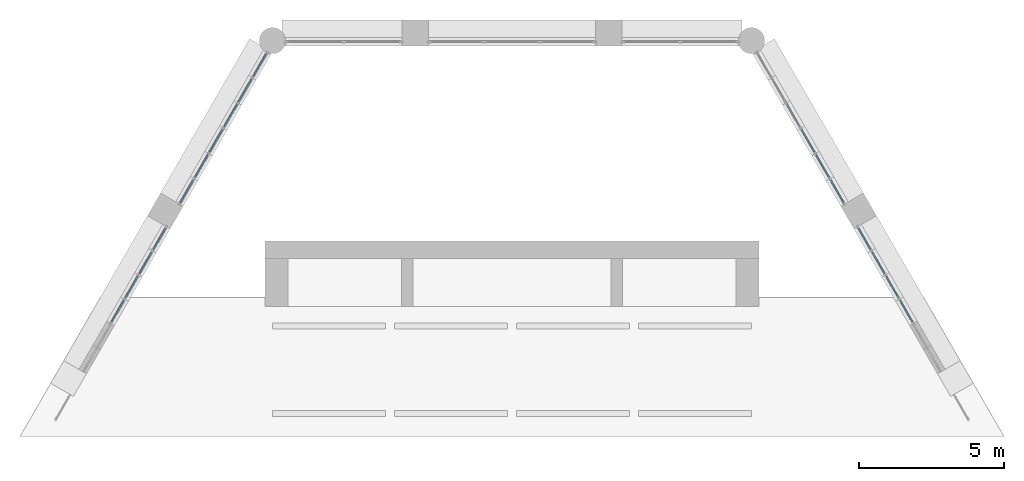
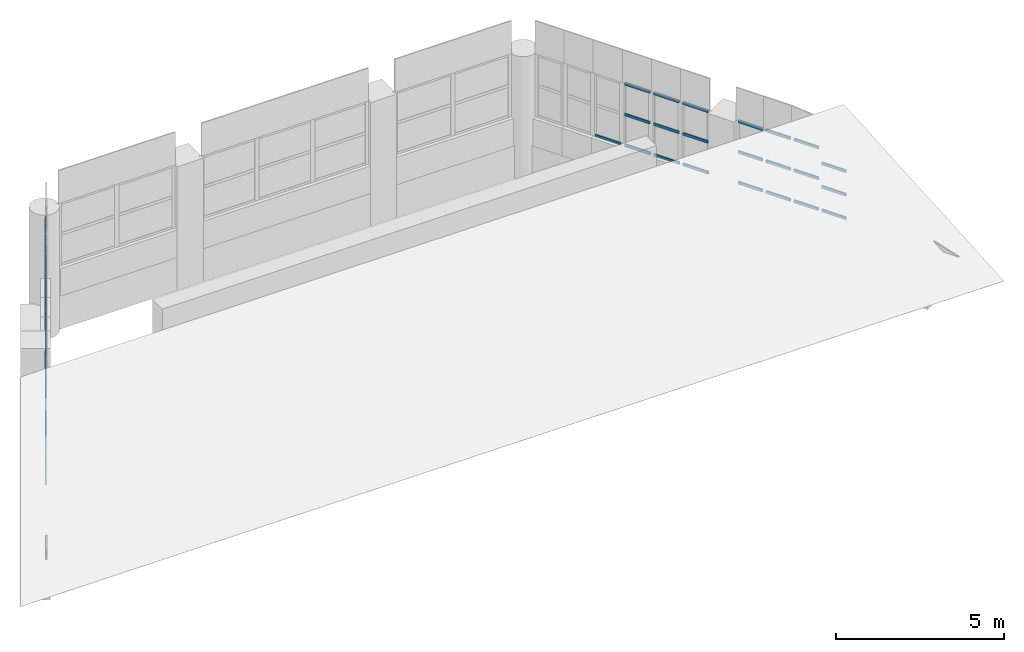
# One storey, part 8 of 11: 52 members, 18 elements without a shape of their own.
"""IFC4 building model written with IfcOpenShell, lengths in metres."""

from ifc_helpers import new_model, si_unit, direction, frame, origin, origin_2d, place, context, subcontext, project, spatial, hollow_rectangle, extrude, material, material_profile, profile_set, type_object, element, aggregate, save


model = new_model("IFC4")

# Units and contexts
model_context = context("Model", 3, precision=1e-05, world=origin(), true_north=direction((0.0, 1.0)))
body_context = subcontext(model_context, "Body", "Model", "MODEL_VIEW")
ifc_project = project(units=[si_unit("LENGTHUNIT", "METRE"), si_unit("AREAUNIT", "SQUARE_METRE"), si_unit("VOLUMEUNIT", "CUBIC_METRE"), si_unit("PLANEANGLEUNIT", "RADIAN"), si_unit("MASSUNIT", "GRAM", prefix="KILO")], contexts=[model_context])

# Site, building, storey
site_placement = place(None, origin())
site = spatial("IfcSite", under=ifc_project, at=site_placement, CompositionType="ELEMENT")
building_placement = place(site_placement, origin())
building = spatial("IfcBuilding", under=site, at=building_placement, Name="Ostrander Bayou Hotel Tower", CompositionType="ELEMENT")
storey_placement = place(building_placement, frame((0.0, 0.0, 293.0)))
storey = spatial("IfcBuildingStorey", under=building, at=storey_placement, Name="Roof 72", CompositionType="ELEMENT", Elevation=293.0)

# Curtain wall, members
ifc_material_1 = material(Name="Aluminium and clear glass", Category="aluminium")
curtain_wall_type = type_object("IfcCurtainWallType", Name="CW-CROWN glazed wall", PredefinedType="NOTDEFINED", material=ifc_material_1)
curtain_wall_1_placement = place(storey_placement, origin())
curtain_wall_1 = element("IfcCurtainWall", 1, at=curtain_wall_1_placement, inside=storey, type_object=curtain_wall_type, Name="CW-CROWN L72:NW-1-1", PredefinedType="NOTDEFINED")
ifc_material_2 = material(Name="Aluminium", Category="aluminium")
ifc_material_profile = material_profile(ifc_material_2, hollow_rectangle(XDim=0.050048828125, YDim=0.10009765625, WallThickness=0.00390625, at=origin_2d()))
ifc_profile_set = profile_set([ifc_material_profile], Name="Aluminium")
member_type = type_object("IfcMemberType", Name="CW-CR transom 50 x 100 mm", PredefinedType="USERDEFINED", material=ifc_profile_set)
member_1_placement = place(storey_placement, frame((-8.4619140625, 16.13037109375, 1.030029296875), z_axis=(-0.500033502416, -0.866006060292, 0.0), x_axis=(0.866006060292, -0.500033502416, 0.0)))
member_1 = element("IfcMember", 2, at=member_1_placement, type_object=member_type, Name="CW-CROWN transom 1.1", ObjectType="TRANSOM", PredefinedType="USERDEFINED", context=body_context, shape_type="SweptSolid", body=[
    extrude(hollow_rectangle(XDim=0.050048828125, YDim=0.10009765625, WallThickness=0.00390625, at=origin_2d()), origin(), (0.0, 0.0, 1.0), 0.88330078125),
])
member_2_placement = place(storey_placement, frame((-8.4619140625, 16.13037109375, 2.14990234375), z_axis=(-0.500033502416, -0.866006060292, 0.0), x_axis=(0.866006060292, -0.500033502416, 0.0)))
member_2 = element("IfcMember", 3, at=member_2_placement, type_object=member_type, Name="CW-CROWN transom 1.2", ObjectType="TRANSOM", PredefinedType="USERDEFINED", context=body_context, shape_type="SweptSolid", body=[
    extrude(hollow_rectangle(XDim=0.050048828125, YDim=0.10009765625, WallThickness=0.00390625, at=origin_2d()), origin(), (0.0, 0.0, 1.0), 0.88330078125),
])
member_3_placement = place(storey_placement, frame((-8.4619140625, 16.13037109375, 3.27001953125), z_axis=(-0.500033502416, -0.866006060292, 0.0), x_axis=(0.866006060292, -0.500033502416, 0.0)))
member_3 = element("IfcMember", 4, at=member_3_placement, type_object=member_type, Name="CW-CROWN transom 1.3", ObjectType="TRANSOM", PredefinedType="USERDEFINED", context=body_context, shape_type="SweptSolid", body=[
    extrude(hollow_rectangle(XDim=0.050048828125, YDim=0.10009765625, WallThickness=0.00390625, at=origin_2d()), origin(), (0.0, 0.0, 1.0), 0.88330078125),
])
aggregate(curtain_wall_1, [member_1, member_2, member_3])

curtain_wall_2_placement = place(storey_placement, origin())
curtain_wall_2 = element("IfcCurtainWall", 5, at=curtain_wall_2_placement, inside=storey, type_object=curtain_wall_type, Name="CW-CROWN L72:NW-1-2", PredefinedType="NOTDEFINED")
member_4_placement = place(storey_placement, frame((-8.963623046875, 15.26171875, 1.030029296875), z_axis=(-0.500033502416, -0.866006060292, 0.0), x_axis=(0.866006060292, -0.500033502416, 0.0)))
member_4 = element("IfcMember", 6, at=member_4_placement, type_object=member_type, Name="CW-CROWN transom 1.1", ObjectType="TRANSOM", PredefinedType="USERDEFINED", context=body_context, shape_type="SweptSolid", body=[
    extrude(hollow_rectangle(XDim=0.050048828125, YDim=0.10009765625, WallThickness=0.00390625, at=origin_2d()), origin(), (0.0, 0.0, 1.0), 0.88330078125),
])
member_5_placement = place(storey_placement, frame((-8.963623046875, 15.26171875, 2.14990234375), z_axis=(-0.500033502416, -0.866006060292, 0.0), x_axis=(0.866006060292, -0.500033502416, 0.0)))
member_5 = element("IfcMember", 7, at=member_5_placement, type_object=member_type, Name="CW-CROWN transom 1.2", ObjectType="TRANSOM", PredefinedType="USERDEFINED", context=body_context, shape_type="SweptSolid", body=[
    extrude(hollow_rectangle(XDim=0.050048828125, YDim=0.10009765625, WallThickness=0.00390625, at=origin_2d()), origin(), (0.0, 0.0, 1.0), 0.88330078125),
])
member_6_placement = place(storey_placement, frame((-8.963623046875, 15.26171875, 3.27001953125), z_axis=(-0.500033502416, -0.866006060292, 0.0), x_axis=(0.866006060292, -0.500033502416, 0.0)))
member_6 = element("IfcMember", 8, at=member_6_placement, type_object=member_type, Name="CW-CROWN transom 1.3", ObjectType="TRANSOM", PredefinedType="USERDEFINED", context=body_context, shape_type="SweptSolid", body=[
    extrude(hollow_rectangle(XDim=0.050048828125, YDim=0.10009765625, WallThickness=0.00390625, at=origin_2d()), origin(), (0.0, 0.0, 1.0), 0.88330078125),
])
aggregate(curtain_wall_2, [member_4, member_5, member_6])

curtain_wall_3_placement = place(storey_placement, origin())
curtain_wall_3 = element("IfcCurtainWall", 9, at=curtain_wall_3_placement, inside=storey, type_object=curtain_wall_type, Name="CW-CROWN L72:NW-1-3", PredefinedType="NOTDEFINED")
member_7_placement = place(storey_placement, frame((-9.465087890625, 14.392822265625, 1.030029296875), z_axis=(-0.500153222552, -0.865936922628, 0.0), x_axis=(0.865936922628, -0.500153222552, 0.0)))
member_7 = element("IfcMember", 10, at=member_7_placement, type_object=member_type, Name="CW-CROWN transom 1.1", ObjectType="TRANSOM", PredefinedType="USERDEFINED", context=body_context, shape_type="SweptSolid", body=[
    extrude(hollow_rectangle(XDim=0.050048828125, YDim=0.10009765625, WallThickness=0.00390625, at=origin_2d()), origin(), (0.0, 0.0, 1.0), 0.883056640625),
])
member_8_placement = place(storey_placement, frame((-9.465087890625, 14.392822265625, 2.14990234375), z_axis=(-0.500153222552, -0.865936922628, 0.0), x_axis=(0.865936922628, -0.500153222552, 0.0)))
member_8 = element("IfcMember", 11, at=member_8_placement, type_object=member_type, Name="CW-CROWN transom 1.2", ObjectType="TRANSOM", PredefinedType="USERDEFINED", context=body_context, shape_type="SweptSolid", body=[
    extrude(hollow_rectangle(XDim=0.050048828125, YDim=0.10009765625, WallThickness=0.00390625, at=origin_2d()), origin(), (0.0, 0.0, 1.0), 0.883056640625),
])
member_9_placement = place(storey_placement, frame((-9.465087890625, 14.392822265625, 3.27001953125), z_axis=(-0.500153222552, -0.865936922628, 0.0), x_axis=(0.865936922628, -0.500153222552, 0.0)))
member_9 = element("IfcMember", 12, at=member_9_placement, type_object=member_type, Name="CW-CROWN transom 1.3", ObjectType="TRANSOM", PredefinedType="USERDEFINED", context=body_context, shape_type="SweptSolid", body=[
    extrude(hollow_rectangle(XDim=0.050048828125, YDim=0.10009765625, WallThickness=0.00390625, at=origin_2d()), origin(), (0.0, 0.0, 1.0), 0.883056640625),
])
aggregate(curtain_wall_3, [member_7, member_8, member_9])

curtain_wall_4_placement = place(storey_placement, origin())
curtain_wall_4 = element("IfcCurtainWall", 13, at=curtain_wall_4_placement, inside=storey, type_object=curtain_wall_type, Name="CW-CROWN L72:NW-1-4", PredefinedType="NOTDEFINED")
member_10_placement = place(storey_placement, frame((-9.966796875, 13.524169921875, 1.030029296875), z_axis=(-0.499826157957, -0.866125748273, 0.0), x_axis=(0.866125748273, -0.499826157957, 0.0)))
member_10 = element("IfcMember", 14, at=member_10_placement, type_object=member_type, Name="CW-CROWN transom 1.1", ObjectType="TRANSOM", PredefinedType="USERDEFINED", context=body_context, shape_type="SweptSolid", body=[
    extrude(hollow_rectangle(XDim=0.050048828125, YDim=0.10009765625, WallThickness=0.00390625, at=origin_2d()), origin(), (0.0, 0.0, 1.0), 0.883056640625),
])
member_11_placement = place(storey_placement, frame((-9.966796875, 13.524169921875, 2.14990234375), z_axis=(-0.499826157957, -0.866125748273, 0.0), x_axis=(0.866125748273, -0.499826157957, 0.0)))
member_11 = element("IfcMember", 15, at=member_11_placement, type_object=member_type, Name="CW-CROWN transom 1.2", ObjectType="TRANSOM", PredefinedType="USERDEFINED", context=body_context, shape_type="SweptSolid", body=[
    extrude(hollow_rectangle(XDim=0.050048828125, YDim=0.10009765625, WallThickness=0.00390625, at=origin_2d()), origin(), (0.0, 0.0, 1.0), 0.883056640625),
])
member_12_placement = place(storey_placement, frame((-9.966796875, 13.524169921875, 3.27001953125), z_axis=(-0.499826157957, -0.866125748273, 0.0), x_axis=(0.866125748273, -0.499826157957, 0.0)))
member_12 = element("IfcMember", 16, at=member_12_placement, type_object=member_type, Name="CW-CROWN transom 1.3", ObjectType="TRANSOM", PredefinedType="USERDEFINED", context=body_context, shape_type="SweptSolid", body=[
    extrude(hollow_rectangle(XDim=0.050048828125, YDim=0.10009765625, WallThickness=0.00390625, at=origin_2d()), origin(), (0.0, 0.0, 1.0), 0.883056640625),
])
aggregate(curtain_wall_4, [member_10, member_11, member_12])

curtain_wall_5_placement = place(storey_placement, origin())
curtain_wall_5 = element("IfcCurtainWall", 17, at=curtain_wall_5_placement, inside=storey, type_object=curtain_wall_type, Name="CW-CROWN L72:NW-1-5", PredefinedType="NOTDEFINED")
member_13_placement = place(storey_placement, frame((-10.46826171875, 12.6552734375, 1.030029296875), z_axis=(-0.500153222552, -0.865936922628, 0.0), x_axis=(0.865936922628, -0.500153222552, 0.0)))
member_13 = element("IfcMember", 18, at=member_13_placement, type_object=member_type, Name="CW-CROWN transom 1.1", ObjectType="TRANSOM", PredefinedType="USERDEFINED", context=body_context, shape_type="SweptSolid", body=[
    extrude(hollow_rectangle(XDim=0.050048828125, YDim=0.10009765625, WallThickness=0.00390625, at=origin_2d()), origin(), (0.0, 0.0, 1.0), 0.883056640625),
])
member_14_placement = place(storey_placement, frame((-10.46826171875, 12.6552734375, 2.14990234375), z_axis=(-0.500153222552, -0.865936922628, 0.0), x_axis=(0.865936922628, -0.500153222552, 0.0)))
member_14 = element("IfcMember", 19, at=member_14_placement, type_object=member_type, Name="CW-CROWN transom 1.2", ObjectType="TRANSOM", PredefinedType="USERDEFINED", context=body_context, shape_type="SweptSolid", body=[
    extrude(hollow_rectangle(XDim=0.050048828125, YDim=0.10009765625, WallThickness=0.00390625, at=origin_2d()), origin(), (0.0, 0.0, 1.0), 0.883056640625),
])
member_15_placement = place(storey_placement, frame((-10.46826171875, 12.6552734375, 3.27001953125), z_axis=(-0.500153222552, -0.865936922628, 0.0), x_axis=(0.865936922628, -0.500153222552, 0.0)))
member_15 = element("IfcMember", 20, at=member_15_placement, type_object=member_type, Name="CW-CROWN transom 1.3", ObjectType="TRANSOM", PredefinedType="USERDEFINED", context=body_context, shape_type="SweptSolid", body=[
    extrude(hollow_rectangle(XDim=0.050048828125, YDim=0.10009765625, WallThickness=0.00390625, at=origin_2d()), origin(), (0.0, 0.0, 1.0), 0.883056640625),
])
aggregate(curtain_wall_5, [member_13, member_14, member_15])

curtain_wall_6_placement = place(storey_placement, origin())
curtain_wall_6 = element("IfcCurtainWall", 21, at=curtain_wall_6_placement, inside=storey, type_object=curtain_wall_type, Name="CW-CROWN L72:NW-1-6", PredefinedType="NOTDEFINED")
member_16_placement = place(storey_placement, frame((-10.969970703125, 11.78662109375, 1.030029296875), z_axis=(-0.500033502416, -0.866006060292, 0.0), x_axis=(0.866006060292, -0.500033502416, 0.0)))
member_16 = element("IfcMember", 22, at=member_16_placement, type_object=member_type, Name="CW-CROWN transom 1.1", ObjectType="TRANSOM", PredefinedType="USERDEFINED", context=body_context, shape_type="SweptSolid", body=[
    extrude(hollow_rectangle(XDim=0.050048828125, YDim=0.10009765625, WallThickness=0.00390625, at=origin_2d()), origin(), (0.0, 0.0, 1.0), 0.88330078125),
])
member_17_placement = place(storey_placement, frame((-10.969970703125, 11.78662109375, 2.14990234375), z_axis=(-0.500033502416, -0.866006060292, 0.0), x_axis=(0.866006060292, -0.500033502416, 0.0)))
member_17 = element("IfcMember", 23, at=member_17_placement, type_object=member_type, Name="CW-CROWN transom 1.2", ObjectType="TRANSOM", PredefinedType="USERDEFINED", context=body_context, shape_type="SweptSolid", body=[
    extrude(hollow_rectangle(XDim=0.050048828125, YDim=0.10009765625, WallThickness=0.00390625, at=origin_2d()), origin(), (0.0, 0.0, 1.0), 0.88330078125),
])
member_18_placement = place(storey_placement, frame((-10.969970703125, 11.78662109375, 3.27001953125), z_axis=(-0.500033502416, -0.866006060292, 0.0), x_axis=(0.866006060292, -0.500033502416, 0.0)))
member_18 = element("IfcMember", 24, at=member_18_placement, type_object=member_type, Name="CW-CROWN transom 1.3", ObjectType="TRANSOM", PredefinedType="USERDEFINED", context=body_context, shape_type="SweptSolid", body=[
    extrude(hollow_rectangle(XDim=0.050048828125, YDim=0.10009765625, WallThickness=0.00390625, at=origin_2d()), origin(), (0.0, 0.0, 1.0), 0.88330078125),
])
aggregate(curtain_wall_6, [member_16, member_17, member_18])

curtain_wall_7_placement = place(storey_placement, origin())
curtain_wall_7 = element("IfcCurtainWall", 25, at=curtain_wall_7_placement, inside=storey, type_object=curtain_wall_type, Name="CW-CROWN L72:NW-2-1", PredefinedType="NOTDEFINED")
member_19_placement = place(storey_placement, frame((-11.92138671875, 10.138427734375, 1.030029296875), z_axis=(-0.500016035621, -0.866016145416, 0.0), x_axis=(0.866016145416, -0.500016035621, 0.0)))
member_19 = element("IfcMember", 26, at=member_19_placement, type_object=member_type, Name="CW-CROWN transom 1.1", ObjectType="TRANSOM", PredefinedType="USERDEFINED", context=body_context, shape_type="SweptSolid", body=[
    extrude(hollow_rectangle(XDim=0.050048828125, YDim=0.10009765625, WallThickness=0.00390625, at=origin_2d()), origin(), (0.0, 0.0, 1.0), 0.83984375),
])
member_20_placement = place(storey_placement, frame((-11.92138671875, 10.138427734375, 2.14990234375), z_axis=(-0.500016035621, -0.866016145416, 0.0), x_axis=(0.866016145416, -0.500016035621, 0.0)))
member_20 = element("IfcMember", 27, at=member_20_placement, type_object=member_type, Name="CW-CROWN transom 1.2", ObjectType="TRANSOM", PredefinedType="USERDEFINED", context=body_context, shape_type="SweptSolid", body=[
    extrude(hollow_rectangle(XDim=0.050048828125, YDim=0.10009765625, WallThickness=0.00390625, at=origin_2d()), origin(), (0.0, 0.0, 1.0), 0.83984375),
])
member_21_placement = place(storey_placement, frame((-11.92138671875, 10.138427734375, 3.27001953125), z_axis=(-0.500016035621, -0.866016145416, 0.0), x_axis=(0.866016145416, -0.500016035621, 0.0)))
member_21 = element("IfcMember", 28, at=member_21_placement, type_object=member_type, Name="CW-CROWN transom 1.3", ObjectType="TRANSOM", PredefinedType="USERDEFINED", context=body_context, shape_type="SweptSolid", body=[
    extrude(hollow_rectangle(XDim=0.050048828125, YDim=0.10009765625, WallThickness=0.00390625, at=origin_2d()), origin(), (0.0, 0.0, 1.0), 0.83984375),
])
aggregate(curtain_wall_7, [member_19, member_20, member_21])

curtain_wall_8_placement = place(storey_placement, origin())
curtain_wall_8 = element("IfcCurtainWall", 29, at=curtain_wall_8_placement, inside=storey, type_object=curtain_wall_type, Name="CW-CROWN L72:NW-2-2", PredefinedType="NOTDEFINED")
member_22_placement = place(storey_placement, frame((-12.4013671875, 9.30712890625, 1.030029296875), z_axis=(-0.500141944548, -0.86594343655, 0.0), x_axis=(0.86594343655, -0.500141944548, 0.0)))
member_22 = element("IfcMember", 30, at=member_22_placement, type_object=member_type, Name="CW-CROWN transom 1.1", ObjectType="TRANSOM", PredefinedType="USERDEFINED", context=body_context, shape_type="SweptSolid", body=[
    extrude(hollow_rectangle(XDim=0.050048828125, YDim=0.10009765625, WallThickness=0.00390625, at=origin_2d()), origin(), (0.0, 0.0, 1.0), 0.839599609375),
])
member_23_placement = place(storey_placement, frame((-12.4013671875, 9.30712890625, 2.14990234375), z_axis=(-0.500141944548, -0.86594343655, 0.0), x_axis=(0.86594343655, -0.500141944548, 0.0)))
member_23 = element("IfcMember", 31, at=member_23_placement, type_object=member_type, Name="CW-CROWN transom 1.2", ObjectType="TRANSOM", PredefinedType="USERDEFINED", context=body_context, shape_type="SweptSolid", body=[
    extrude(hollow_rectangle(XDim=0.050048828125, YDim=0.10009765625, WallThickness=0.00390625, at=origin_2d()), origin(), (0.0, 0.0, 1.0), 0.839599609375),
])
member_24_placement = place(storey_placement, frame((-12.4013671875, 9.30712890625, 3.27001953125), z_axis=(-0.500141944548, -0.86594343655, 0.0), x_axis=(0.86594343655, -0.500141944548, 0.0)))
member_24 = element("IfcMember", 32, at=member_24_placement, type_object=member_type, Name="CW-CROWN transom 1.3", ObjectType="TRANSOM", PredefinedType="USERDEFINED", context=body_context, shape_type="SweptSolid", body=[
    extrude(hollow_rectangle(XDim=0.050048828125, YDim=0.10009765625, WallThickness=0.00390625, at=origin_2d()), origin(), (0.0, 0.0, 1.0), 0.839599609375),
])
aggregate(curtain_wall_8, [member_22, member_23, member_24])

curtain_wall_9_placement = place(storey_placement, origin())
curtain_wall_9 = element("IfcCurtainWall", 33, at=curtain_wall_9_placement, inside=storey, type_object=curtain_wall_type, Name="CW-CROWN L72:NW-2-3", PredefinedType="NOTDEFINED")
member_25_placement = place(storey_placement, frame((-12.88134765625, 8.47607421875, 1.030029296875), z_axis=(-0.500016035621, -0.866016145416, 0.0), x_axis=(0.866016145416, -0.500016035621, 0.0)))
member_25 = element("IfcMember", 34, at=member_25_placement, type_object=member_type, Name="CW-CROWN transom 1.1", ObjectType="TRANSOM", PredefinedType="USERDEFINED", context=body_context, shape_type="SweptSolid", body=[
    extrude(hollow_rectangle(XDim=0.050048828125, YDim=0.10009765625, WallThickness=0.00390625, at=origin_2d()), origin(), (0.0, 0.0, 1.0), 0.83984375),
])
member_26_placement = place(storey_placement, frame((-12.88134765625, 8.47607421875, 2.14990234375), z_axis=(-0.500016035621, -0.866016145416, 0.0), x_axis=(0.866016145416, -0.500016035621, 0.0)))
member_26 = element("IfcMember", 35, at=member_26_placement, type_object=member_type, Name="CW-CROWN transom 1.2", ObjectType="TRANSOM", PredefinedType="USERDEFINED", context=body_context, shape_type="SweptSolid", body=[
    extrude(hollow_rectangle(XDim=0.050048828125, YDim=0.10009765625, WallThickness=0.00390625, at=origin_2d()), origin(), (0.0, 0.0, 1.0), 0.83984375),
])
member_27_placement = place(storey_placement, frame((-12.88134765625, 8.47607421875, 3.27001953125), z_axis=(-0.500016035621, -0.866016145416, 0.0), x_axis=(0.866016145416, -0.500016035621, 0.0)))
member_27 = element("IfcMember", 36, at=member_27_placement, type_object=member_type, Name="CW-CROWN transom 1.3", ObjectType="TRANSOM", PredefinedType="USERDEFINED", context=body_context, shape_type="SweptSolid", body=[
    extrude(hollow_rectangle(XDim=0.050048828125, YDim=0.10009765625, WallThickness=0.00390625, at=origin_2d()), origin(), (0.0, 0.0, 1.0), 0.83984375),
])
aggregate(curtain_wall_9, [member_25, member_26, member_27])

curtain_wall_10_placement = place(storey_placement, origin())
curtain_wall_10 = element("IfcCurtainWall", 37, at=curtain_wall_10_placement, inside=storey, type_object=curtain_wall_type, Name="CW-CROWN L72:NW-2-4", PredefinedType="NOTDEFINED")
member_28_placement = place(storey_placement, frame((-13.361083984375, 7.644775390625, 1.030029296875), z_axis=(-0.500016035621, -0.866016145416, 0.0), x_axis=(0.866016145416, -0.500016035621, 0.0)))
member_28 = element("IfcMember", 38, at=member_28_placement, type_object=member_type, Name="CW-CROWN transom 1.1", ObjectType="TRANSOM", PredefinedType="USERDEFINED", context=body_context, shape_type="SweptSolid", body=[
    extrude(hollow_rectangle(XDim=0.050048828125, YDim=0.10009765625, WallThickness=0.00390625, at=origin_2d()), origin(), (0.0, 0.0, 1.0), 0.83984375),
])
member_29_placement = place(storey_placement, frame((-13.361083984375, 7.644775390625, 1.885986328125), z_axis=(-0.500016035621, -0.866016145416, 0.0), x_axis=(0.866016145416, -0.500016035621, 0.0)))
member_29 = element("IfcMember", 39, at=member_29_placement, type_object=member_type, Name="CW-CROWN transom 1.2", ObjectType="TRANSOM", PredefinedType="USERDEFINED", context=body_context, shape_type="SweptSolid", body=[
    extrude(hollow_rectangle(XDim=0.050048828125, YDim=0.10009765625, WallThickness=0.00390625, at=origin_2d()), origin(), (0.0, 0.0, 1.0), 0.83984375),
])
member_30_placement = place(storey_placement, frame((-13.361083984375, 7.644775390625, 2.741943359375), z_axis=(-0.500016035621, -0.866016145416, 0.0), x_axis=(0.866016145416, -0.500016035621, 0.0)))
member_30 = element("IfcMember", 40, at=member_30_placement, type_object=member_type, Name="CW-CROWN transom 1.3", ObjectType="TRANSOM", PredefinedType="USERDEFINED", context=body_context, shape_type="SweptSolid", body=[
    extrude(hollow_rectangle(XDim=0.050048828125, YDim=0.10009765625, WallThickness=0.00390625, at=origin_2d()), origin(), (0.0, 0.0, 1.0), 0.83984375),
])
aggregate(curtain_wall_10, [member_28, member_29, member_30])

curtain_wall_11_placement = place(storey_placement, origin())
curtain_wall_11 = element("IfcCurtainWall", 41, at=curtain_wall_11_placement, inside=storey, type_object=curtain_wall_type, Name="CW-CROWN L72:NE-2-3", PredefinedType="NOTDEFINED")
member_31_placement = place(storey_placement, frame((13.781005859375, 6.91748046875, 1.030029296875), z_axis=(-0.500016035621, 0.866016145416, 0.0), x_axis=(-0.866016145416, -0.500016035621, 0.0)))
member_31 = element("IfcMember", 42, at=member_31_placement, type_object=member_type, Name="CW-CROWN transom 1.1", ObjectType="TRANSOM", PredefinedType="USERDEFINED", context=body_context, shape_type="SweptSolid", body=[
    extrude(hollow_rectangle(XDim=0.050048828125, YDim=0.10009765625, WallThickness=0.00390625, at=origin_2d()), origin(), (0.0, 0.0, 1.0), 0.83984375),
])
member_32_placement = place(storey_placement, frame((13.781005859375, 6.91748046875, 1.885986328125), z_axis=(-0.500016035621, 0.866016145416, 0.0), x_axis=(-0.866016145416, -0.500016035621, 0.0)))
member_32 = element("IfcMember", 43, at=member_32_placement, type_object=member_type, Name="CW-CROWN transom 1.2", ObjectType="TRANSOM", PredefinedType="USERDEFINED", context=body_context, shape_type="SweptSolid", body=[
    extrude(hollow_rectangle(XDim=0.050048828125, YDim=0.10009765625, WallThickness=0.00390625, at=origin_2d()), origin(), (0.0, 0.0, 1.0), 0.83984375),
])
member_33_placement = place(storey_placement, frame((13.781005859375, 6.91748046875, 2.741943359375), z_axis=(-0.500016035621, 0.866016145416, 0.0), x_axis=(-0.866016145416, -0.500016035621, 0.0)))
member_33 = element("IfcMember", 44, at=member_33_placement, type_object=member_type, Name="CW-CROWN transom 1.3", ObjectType="TRANSOM", PredefinedType="USERDEFINED", context=body_context, shape_type="SweptSolid", body=[
    extrude(hollow_rectangle(XDim=0.050048828125, YDim=0.10009765625, WallThickness=0.00390625, at=origin_2d()), origin(), (0.0, 0.0, 1.0), 0.83984375),
])
aggregate(curtain_wall_11, [member_31, member_32, member_33])

curtain_wall_12_placement = place(storey_placement, origin())
curtain_wall_12 = element("IfcCurtainWall", 45, at=curtain_wall_12_placement, inside=storey, type_object=curtain_wall_type, Name="CW-CROWN L72:NE-2-4", PredefinedType="NOTDEFINED")
member_34_placement = place(storey_placement, frame((13.30126953125, 7.748779296875, 1.030029296875), z_axis=(-0.500016035621, 0.866016145416, 0.0), x_axis=(-0.866016145416, -0.500016035621, 0.0)))
member_34 = element("IfcMember", 46, at=member_34_placement, type_object=member_type, Name="CW-CROWN transom 1.1", ObjectType="TRANSOM", PredefinedType="USERDEFINED", context=body_context, shape_type="SweptSolid", body=[
    extrude(hollow_rectangle(XDim=0.050048828125, YDim=0.10009765625, WallThickness=0.00390625, at=origin_2d()), origin(), (0.0, 0.0, 1.0), 0.83984375),
])
member_35_placement = place(storey_placement, frame((13.30126953125, 7.748779296875, 2.14990234375), z_axis=(-0.500016035621, 0.866016145416, 0.0), x_axis=(-0.866016145416, -0.500016035621, 0.0)))
member_35 = element("IfcMember", 47, at=member_35_placement, type_object=member_type, Name="CW-CROWN transom 1.2", ObjectType="TRANSOM", PredefinedType="USERDEFINED", context=body_context, shape_type="SweptSolid", body=[
    extrude(hollow_rectangle(XDim=0.050048828125, YDim=0.10009765625, WallThickness=0.00390625, at=origin_2d()), origin(), (0.0, 0.0, 1.0), 0.83984375),
])
member_36_placement = place(storey_placement, frame((13.30126953125, 7.748779296875, 3.27001953125), z_axis=(-0.500016035621, 0.866016145416, 0.0), x_axis=(-0.866016145416, -0.500016035621, 0.0)))
member_36 = element("IfcMember", 48, at=member_36_placement, type_object=member_type, Name="CW-CROWN transom 1.3", ObjectType="TRANSOM", PredefinedType="USERDEFINED", context=body_context, shape_type="SweptSolid", body=[
    extrude(hollow_rectangle(XDim=0.050048828125, YDim=0.10009765625, WallThickness=0.00390625, at=origin_2d()), origin(), (0.0, 0.0, 1.0), 0.83984375),
])
aggregate(curtain_wall_12, [member_34, member_35, member_36])

curtain_wall_13_placement = place(storey_placement, origin())
curtain_wall_13 = element("IfcCurtainWall", 49, at=curtain_wall_13_placement, inside=storey, type_object=curtain_wall_type, Name="CW-CROWN L72:NE-2-5", PredefinedType="NOTDEFINED")
member_37_placement = place(storey_placement, frame((12.8212890625, 8.580078125, 1.030029296875), z_axis=(-0.500141944548, 0.86594343655, 0.0), x_axis=(-0.86594343655, -0.500141944548, 0.0)))
member_37 = element("IfcMember", 50, at=member_37_placement, type_object=member_type, Name="CW-CROWN transom 1.1", ObjectType="TRANSOM", PredefinedType="USERDEFINED", context=body_context, shape_type="SweptSolid", body=[
    extrude(hollow_rectangle(XDim=0.050048828125, YDim=0.10009765625, WallThickness=0.00390625, at=origin_2d()), origin(), (0.0, 0.0, 1.0), 0.839599609375),
])
member_38_placement = place(storey_placement, frame((12.8212890625, 8.580078125, 2.14990234375), z_axis=(-0.500141944548, 0.86594343655, 0.0), x_axis=(-0.86594343655, -0.500141944548, 0.0)))
member_38 = element("IfcMember", 51, at=member_38_placement, type_object=member_type, Name="CW-CROWN transom 1.2", ObjectType="TRANSOM", PredefinedType="USERDEFINED", context=body_context, shape_type="SweptSolid", body=[
    extrude(hollow_rectangle(XDim=0.050048828125, YDim=0.10009765625, WallThickness=0.00390625, at=origin_2d()), origin(), (0.0, 0.0, 1.0), 0.839599609375),
])
member_39_placement = place(storey_placement, frame((12.8212890625, 8.580078125, 3.27001953125), z_axis=(-0.500141944548, 0.86594343655, 0.0), x_axis=(-0.86594343655, -0.500141944548, 0.0)))
member_39 = element("IfcMember", 52, at=member_39_placement, type_object=member_type, Name="CW-CROWN transom 1.3", ObjectType="TRANSOM", PredefinedType="USERDEFINED", context=body_context, shape_type="SweptSolid", body=[
    extrude(hollow_rectangle(XDim=0.050048828125, YDim=0.10009765625, WallThickness=0.00390625, at=origin_2d()), origin(), (0.0, 0.0, 1.0), 0.839599609375),
])
aggregate(curtain_wall_13, [member_37, member_38, member_39])

curtain_wall_14_placement = place(storey_placement, origin())
curtain_wall_14 = element("IfcCurtainWall", 53, at=curtain_wall_14_placement, inside=storey, type_object=curtain_wall_type, Name="CW-CROWN L72:NE-2-6", PredefinedType="NOTDEFINED")
member_40_placement = place(storey_placement, frame((12.34130859375, 9.4111328125, 1.030029296875), z_axis=(-0.500016035621, 0.866016145416, 0.0), x_axis=(-0.866016145416, -0.500016035621, 0.0)))
member_40 = element("IfcMember", 54, at=member_40_placement, type_object=member_type, Name="CW-CROWN transom 1.1", ObjectType="TRANSOM", PredefinedType="USERDEFINED", context=body_context, shape_type="SweptSolid", body=[
    extrude(hollow_rectangle(XDim=0.050048828125, YDim=0.10009765625, WallThickness=0.00390625, at=origin_2d()), origin(), (0.0, 0.0, 1.0), 0.83984375),
])
member_41_placement = place(storey_placement, frame((12.34130859375, 9.4111328125, 2.14990234375), z_axis=(-0.500016035621, 0.866016145416, 0.0), x_axis=(-0.866016145416, -0.500016035621, 0.0)))
member_41 = element("IfcMember", 55, at=member_41_placement, type_object=member_type, Name="CW-CROWN transom 1.2", ObjectType="TRANSOM", PredefinedType="USERDEFINED", context=body_context, shape_type="SweptSolid", body=[
    extrude(hollow_rectangle(XDim=0.050048828125, YDim=0.10009765625, WallThickness=0.00390625, at=origin_2d()), origin(), (0.0, 0.0, 1.0), 0.83984375),
])
member_42_placement = place(storey_placement, frame((12.34130859375, 9.4111328125, 3.27001953125), z_axis=(-0.500016035621, 0.866016145416, 0.0), x_axis=(-0.866016145416, -0.500016035621, 0.0)))
member_42 = element("IfcMember", 56, at=member_42_placement, type_object=member_type, Name="CW-CROWN transom 1.3", ObjectType="TRANSOM", PredefinedType="USERDEFINED", context=body_context, shape_type="SweptSolid", body=[
    extrude(hollow_rectangle(XDim=0.050048828125, YDim=0.10009765625, WallThickness=0.00390625, at=origin_2d()), origin(), (0.0, 0.0, 1.0), 0.83984375),
])
aggregate(curtain_wall_14, [member_40, member_41, member_42])

curtain_wall_15_placement = place(storey_placement, origin())
curtain_wall_15 = element("IfcCurtainWall", 57, at=curtain_wall_15_placement, inside=storey, type_object=curtain_wall_type, Name="CW-CROWN L72:NE-3-1", PredefinedType="NOTDEFINED")
member_43_placement = place(storey_placement, frame((11.41162109375, 11.021728515625, 1.030029296875), z_axis=(-0.500033502416, 0.866006060292, 0.0), x_axis=(-0.866006060292, -0.500033502416, 0.0)))
member_43 = element("IfcMember", 58, at=member_43_placement, type_object=member_type, Name="CW-CROWN transom 1.1", ObjectType="TRANSOM", PredefinedType="USERDEFINED", context=body_context, shape_type="SweptSolid", body=[
    extrude(hollow_rectangle(XDim=0.050048828125, YDim=0.10009765625, WallThickness=0.00390625, at=origin_2d()), origin(), (0.0, 0.0, 1.0), 0.88330078125),
])
member_44_placement = place(storey_placement, frame((11.41162109375, 11.021728515625, 2.14990234375), z_axis=(-0.500033502416, 0.866006060292, 0.0), x_axis=(-0.866006060292, -0.500033502416, 0.0)))
member_44 = element("IfcMember", 59, at=member_44_placement, type_object=member_type, Name="CW-CROWN transom 1.2", ObjectType="TRANSOM", PredefinedType="USERDEFINED", context=body_context, shape_type="SweptSolid", body=[
    extrude(hollow_rectangle(XDim=0.050048828125, YDim=0.10009765625, WallThickness=0.00390625, at=origin_2d()), origin(), (0.0, 0.0, 1.0), 0.88330078125),
])
member_45_placement = place(storey_placement, frame((11.41162109375, 11.021728515625, 3.27001953125), z_axis=(-0.500033502416, 0.866006060292, 0.0), x_axis=(-0.866006060292, -0.500033502416, 0.0)))
member_45 = element("IfcMember", 60, at=member_45_placement, type_object=member_type, Name="CW-CROWN transom 1.3", ObjectType="TRANSOM", PredefinedType="USERDEFINED", context=body_context, shape_type="SweptSolid", body=[
    extrude(hollow_rectangle(XDim=0.050048828125, YDim=0.10009765625, WallThickness=0.00390625, at=origin_2d()), origin(), (0.0, 0.0, 1.0), 0.88330078125),
])
aggregate(curtain_wall_15, [member_43, member_44, member_45])

curtain_wall_16_placement = place(storey_placement, origin())
curtain_wall_16 = element("IfcCurtainWall", 61, at=curtain_wall_16_placement, inside=storey, type_object=curtain_wall_type, Name="CW-CROWN L72:NE-3-2", PredefinedType="NOTDEFINED")
member_46_placement = place(storey_placement, frame((10.909912109375, 11.890625, 1.030029296875), z_axis=(-0.500153222552, 0.865936922628, 0.0), x_axis=(-0.865936922628, -0.500153222552, 0.0)))
member_46 = element("IfcMember", 62, at=member_46_placement, type_object=member_type, Name="CW-CROWN transom 1.1", ObjectType="TRANSOM", PredefinedType="USERDEFINED", context=body_context, shape_type="SweptSolid", body=[
    extrude(hollow_rectangle(XDim=0.050048828125, YDim=0.10009765625, WallThickness=0.00390625, at=origin_2d()), origin(), (0.0, 0.0, 1.0), 0.883056640625),
])
member_47_placement = place(storey_placement, frame((10.909912109375, 11.890625, 2.14990234375), z_axis=(-0.500153222552, 0.865936922628, 0.0), x_axis=(-0.865936922628, -0.500153222552, 0.0)))
member_47 = element("IfcMember", 63, at=member_47_placement, type_object=member_type, Name="CW-CROWN transom 1.2", ObjectType="TRANSOM", PredefinedType="USERDEFINED", context=body_context, shape_type="SweptSolid", body=[
    extrude(hollow_rectangle(XDim=0.050048828125, YDim=0.10009765625, WallThickness=0.00390625, at=origin_2d()), origin(), (0.0, 0.0, 1.0), 0.883056640625),
])
member_48_placement = place(storey_placement, frame((10.909912109375, 11.890625, 3.27001953125), z_axis=(-0.500153222552, 0.865936922628, 0.0), x_axis=(-0.865936922628, -0.500153222552, 0.0)))
member_48 = element("IfcMember", 64, at=member_48_placement, type_object=member_type, Name="CW-CROWN transom 1.3", ObjectType="TRANSOM", PredefinedType="USERDEFINED", context=body_context, shape_type="SweptSolid", body=[
    extrude(hollow_rectangle(XDim=0.050048828125, YDim=0.10009765625, WallThickness=0.00390625, at=origin_2d()), origin(), (0.0, 0.0, 1.0), 0.883056640625),
])
aggregate(curtain_wall_16, [member_46, member_47, member_48])

curtain_wall_17_placement = place(storey_placement, origin())
curtain_wall_17 = element("IfcCurtainWall", 65, at=curtain_wall_17_placement, inside=storey, type_object=curtain_wall_type, Name="CW-CROWN L72:NE-3-3", PredefinedType="NOTDEFINED")
member_49_placement = place(storey_placement, frame((10.408203125, 12.75927734375, 1.030029296875), z_axis=(-0.499826157957, 0.866125748273, 0.0), x_axis=(-0.866125748273, -0.499826157957, 0.0)))
member_49 = element("IfcMember", 66, at=member_49_placement, type_object=member_type, Name="CW-CROWN transom 1.1", ObjectType="TRANSOM", PredefinedType="USERDEFINED", context=body_context, shape_type="SweptSolid", body=[
    extrude(hollow_rectangle(XDim=0.050048828125, YDim=0.10009765625, WallThickness=0.00390625, at=origin_2d()), origin(), (0.0, 0.0, 1.0), 0.883056640625),
])
member_50_placement = place(storey_placement, frame((10.408203125, 12.75927734375, 2.14990234375), z_axis=(-0.499826157957, 0.866125748273, 0.0), x_axis=(-0.866125748273, -0.499826157957, 0.0)))
member_50 = element("IfcMember", 67, at=member_50_placement, type_object=member_type, Name="CW-CROWN transom 1.2", ObjectType="TRANSOM", PredefinedType="USERDEFINED", context=body_context, shape_type="SweptSolid", body=[
    extrude(hollow_rectangle(XDim=0.050048828125, YDim=0.10009765625, WallThickness=0.00390625, at=origin_2d()), origin(), (0.0, 0.0, 1.0), 0.883056640625),
])
member_51_placement = place(storey_placement, frame((10.408203125, 12.75927734375, 3.27001953125), z_axis=(-0.499826157957, 0.866125748273, 0.0), x_axis=(-0.866125748273, -0.499826157957, 0.0)))
member_51 = element("IfcMember", 68, at=member_51_placement, type_object=member_type, Name="CW-CROWN transom 1.3", ObjectType="TRANSOM", PredefinedType="USERDEFINED", context=body_context, shape_type="SweptSolid", body=[
    extrude(hollow_rectangle(XDim=0.050048828125, YDim=0.10009765625, WallThickness=0.00390625, at=origin_2d()), origin(), (0.0, 0.0, 1.0), 0.883056640625),
])
aggregate(curtain_wall_17, [member_49, member_50, member_51])

# Curtain wall, member
curtain_wall_18_placement = place(storey_placement, origin())
curtain_wall_18 = element("IfcCurtainWall", 69, at=curtain_wall_18_placement, inside=storey, type_object=curtain_wall_type, Name="CW-CROWN L72:NE-3-4", PredefinedType="NOTDEFINED")
member_52_placement = place(storey_placement, frame((9.90673828125, 13.628173828125, 1.030029296875), z_axis=(-0.500153222552, 0.865936922628, 0.0), x_axis=(-0.865936922628, -0.500153222552, 0.0)))
member_52 = element("IfcMember", 70, at=member_52_placement, type_object=member_type, Name="CW-CROWN transom 1.1", ObjectType="TRANSOM", PredefinedType="USERDEFINED", context=body_context, shape_type="SweptSolid", body=[
    extrude(hollow_rectangle(XDim=0.050048828125, YDim=0.10009765625, WallThickness=0.00390625, at=origin_2d()), origin(), (0.0, 0.0, 1.0), 0.883056640625),
])
aggregate(curtain_wall_18, [member_52])

save(model, "model.ifc")
